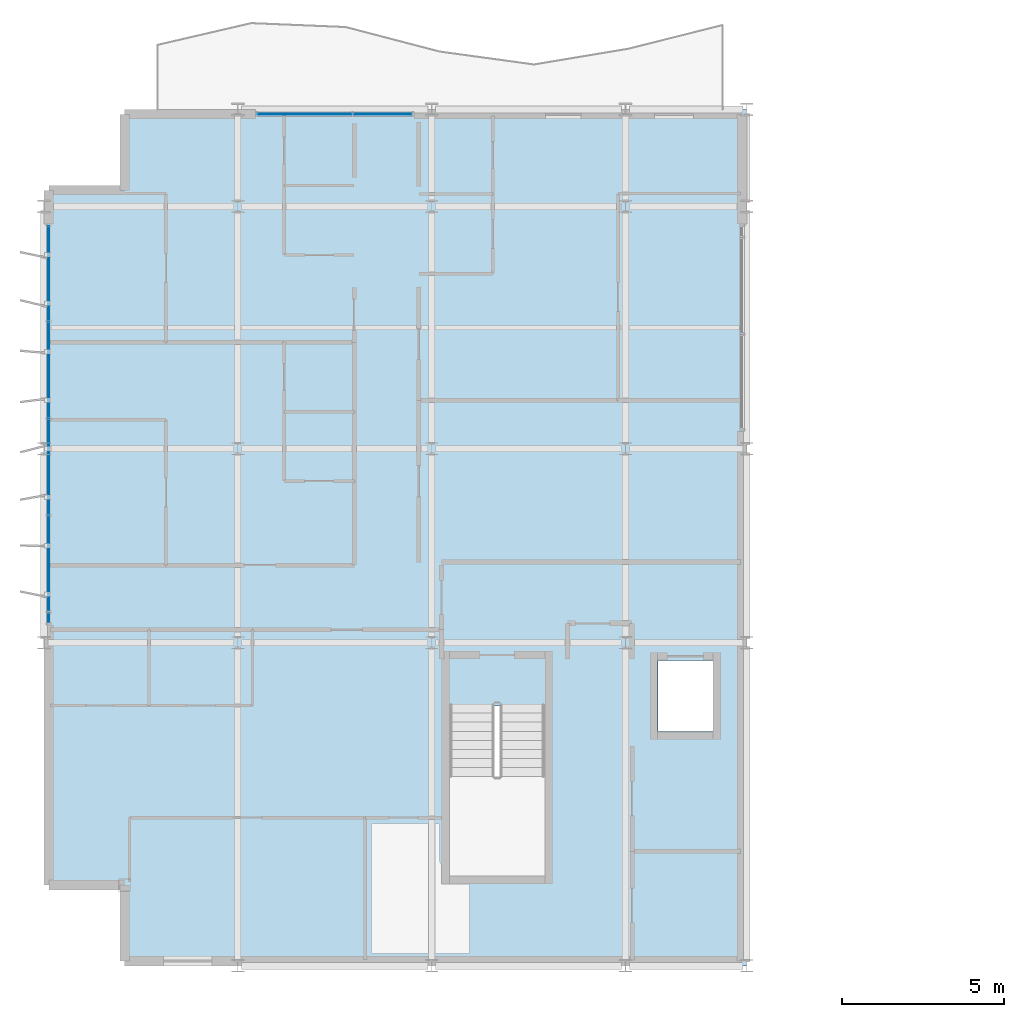
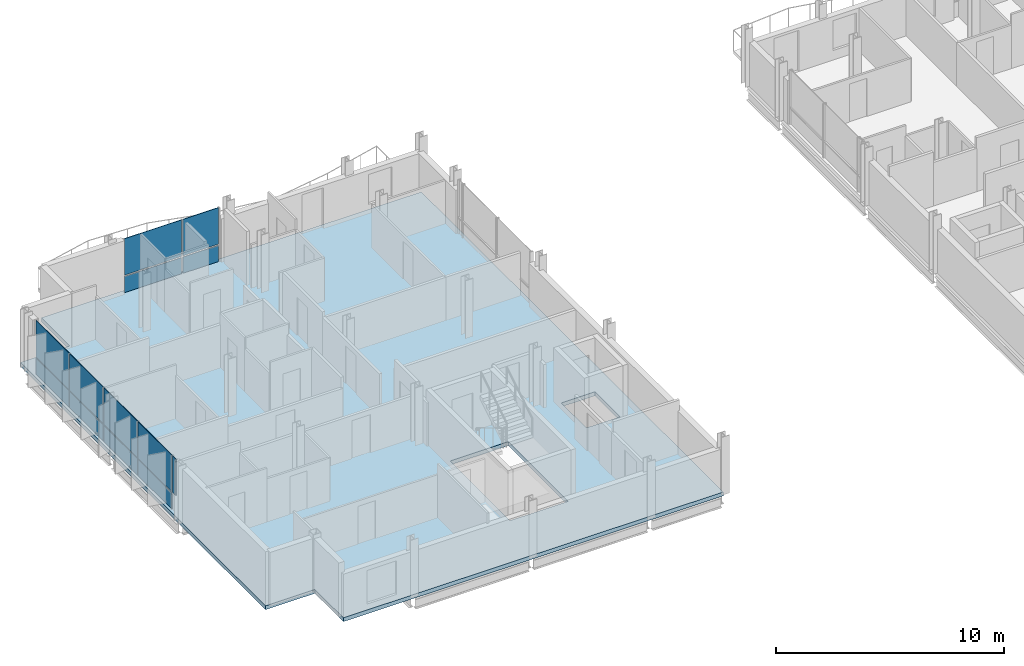
# One storey, part 15 of 29: 13 plates, 1 slab, 2 elements without a shape of their own.
"""IFC4 building model written with IfcOpenShell, lengths in metres."""

import ifcopenshell
import ifcopenshell.guid

model = None  # the IFC model being written
_history = None  # IfcOwnerHistory: only IFC2X3 demands one
_inside = {}  # id of a spatial element -> (the spatial element, [elements in it])
_under = {}  # id of a project, library or spatial element -> (it, [spatial elements below it])
_declared = {}  # id of a project -> (the project, [libraries it declares])
_typed = {}  # id of a type object -> (the type object, [elements of that type])
_made_of = {}  # id of a material, layer set ... -> (it, [elements and type objects made of it])


def new_model(schema):
    """Start an empty IFC model of exactly this schema.

    Asked for "IFC4X3", IfcOpenShell would pick the latest addendum, in which some entities
    have other attributes; the version numbers below select the first issue.
    IFC2X3 requires an IfcOwnerHistory on every rooted entity: one is made here for all.
    """
    global model, _history
    if schema == "IFC4X3":
        model = ifcopenshell.file(schema_version=(4, 3, 0, 0))
    else:
        model = ifcopenshell.file(schema=schema)
    _inside.clear()
    _under.clear()
    _declared.clear()
    _typed.clear()
    _made_of.clear()
    _history = None
    if model.schema == "IFC2X3":
        org = make("IfcOrganization", Name="unknown")
        user = make(
            "IfcPersonAndOrganization",
            ThePerson=make("IfcPerson", FamilyName="unknown"),
            TheOrganization=org,
        )
        app = make(
            "IfcApplication",
            ApplicationDeveloper=org,
            Version="unknown",
            ApplicationFullName="unknown",
            ApplicationIdentifier="unknown",
        )
        _history = make(
            "IfcOwnerHistory",
            OwningUser=user,
            OwningApplication=app,
            ChangeAction="ADDED",
            CreationDate=0,
        )
    return model


def make(cls, **values):
    """One entity of the class cls with the attributes given. An attribute that is None is left unset."""
    return model.create_entity(
        cls, **{name: value for name, value in values.items() if value is not None}
    )


def rooted(cls, **values):
    """An entity with a GlobalId (a new one), such as an element, a storey or a relation."""
    return make(cls, GlobalId=ifcopenshell.guid.new(), OwnerHistory=_history, **values)


def si_unit(unit_type, name, prefix=None):
    """IfcSIUnit, for example si_unit("LENGTHUNIT", "METRE", prefix="MILLI")."""
    return make("IfcSIUnit", UnitType=unit_type, Prefix=prefix, Name=name)


def assignment(units):
    """IfcUnitAssignment: the units of a project."""
    return None if units is None else make("IfcUnitAssignment", Units=units)


def point(xyz):
    """IfcCartesianPoint."""
    return None if xyz is None else make("IfcCartesianPoint", Coordinates=xyz)


def direction(xyz):
    """IfcDirection."""
    return None if xyz is None else make("IfcDirection", DirectionRatios=xyz)


def frame(location, z_axis=None, x_axis=None):
    """IfcAxis2Placement3D, a coordinate frame: its origin and axes. An axis left out is left unset."""
    return make(
        "IfcAxis2Placement3D",
        Location=point(location),
        Axis=direction(z_axis),
        RefDirection=direction(x_axis),
    )


def frame_2d(location, x_axis=None):
    """IfcAxis2Placement2D, a coordinate frame in the plane: its origin and x axis."""
    return make(
        "IfcAxis2Placement2D", Location=point(location), RefDirection=direction(x_axis)
    )


def origin():
    """The frame at (0, 0, 0) with its axes left unset."""
    return frame((0.0, 0.0, 0.0))


def origin_2d():
    """The frame at (0, 0) in the plane with its x axis left unset."""
    return frame_2d((0.0, 0.0))


def place(relative_to, where):
    """IfcLocalPlacement: puts the frame where relative to a parent placement (None: the world)."""
    return make(
        "IfcLocalPlacement", PlacementRelTo=relative_to, RelativePlacement=where
    )


def context(
    kind, dimensions, precision=None, world=None, true_north=None, identifier=None
):
    """IfcGeometricRepresentationContext, for example the 3D "Model" context."""
    return make(
        "IfcGeometricRepresentationContext",
        ContextIdentifier=identifier,
        ContextType=kind,
        CoordinateSpaceDimension=dimensions,
        Precision=precision,
        WorldCoordinateSystem=world,
        TrueNorth=true_north,
    )


def subcontext(parent, identifier, kind, view, scale=None):
    """IfcGeometricRepresentationSubContext, for example "Body" below "Model"."""
    return make(
        "IfcGeometricRepresentationSubContext",
        ContextIdentifier=identifier,
        ContextType=kind,
        ParentContext=parent,
        TargetScale=scale,
        TargetView=view,
    )


def project(units=None, contexts=None):
    """IfcProject with its units and contexts."""
    return rooted(
        "IfcProject",
        Name="project",
        RepresentationContexts=contexts,
        UnitsInContext=assignment(units),
    )


def spatial(cls, under=None, at=None, **own):
    """A site, building, storey or space (cls), placed at a placement, below another one or the project."""
    s = rooted(cls, ObjectPlacement=at, **own)
    if under is not None:
        _under.setdefault(under.id(), (under, []))[1].append(s)
    return s


def polyline(points):
    """IfcPolyline through the points."""
    return make("IfcPolyline", Points=[point(p) for p in points])


def profile(cls, at=None, kind="AREA", **sizes):
    """A parametric profile (cls). Its sizes go by their IFC names, for example OverallWidth=200.0."""
    return make(cls, ProfileType=kind, Position=at, **sizes)


def rectangle(**sizes):
    """IfcRectangleProfileDef."""
    return profile("IfcRectangleProfileDef", **sizes)


def outline(outer, holes=None, kind="AREA"):
    """IfcArbitraryClosedProfileDef: a profile drawn as a closed curve; with holes, ...WithVoids."""
    if holes is None:
        return make("IfcArbitraryClosedProfileDef", ProfileType=kind, OuterCurve=outer)
    return make(
        "IfcArbitraryProfileDefWithVoids",
        ProfileType=kind,
        OuterCurve=outer,
        InnerCurves=holes,
    )


def extrude(swept, where, along, depth):
    """IfcExtrudedAreaSolid: the profile swept, set in the frame where, extruded along a direction by depth."""
    return make(
        "IfcExtrudedAreaSolid",
        SweptArea=swept,
        Position=where,
        ExtrudedDirection=direction(along),
        Depth=depth,
    )


def shape(context_of_items, identifier, shape_type, items):
    """IfcShapeRepresentation: the items that make up one representation, for example the "Body"."""
    return make(
        "IfcShapeRepresentation",
        ContextOfItems=context_of_items,
        RepresentationIdentifier=identifier,
        RepresentationType=shape_type,
        Items=items,
    )


def material(Name=None, Category=None):
    """IfcMaterial."""
    return make("IfcMaterial", Name=Name, Category=Category)


def layer(
    of_material, thickness, ventilated=None, Name=None, Category=None, Priority=None
):
    """IfcMaterialLayer: one layer of a wall or slab, of a material (None: an air gap)."""
    return make(
        "IfcMaterialLayer",
        Material=of_material,
        LayerThickness=thickness,
        IsVentilated=ventilated,
        Name=Name,
        Category=Category,
        Priority=Priority,
    )


def layer_set(layers, Name=None):
    """IfcMaterialLayerSet."""
    return make("IfcMaterialLayerSet", MaterialLayers=layers, LayerSetName=Name)


def made_of(thing, what):
    """Note that an element or type object is made of a material, layer set ...; save() writes the relation."""
    if what is not None:
        _made_of.setdefault(what.id(), (what, []))[1].append(thing)
    return thing


def type_object(cls, material=None, **own):
    """A type object (cls), such as IfcWallType, which elements share."""
    return made_of(rooted(cls, **own), material)


def element(
    cls,
    number,
    at=None,
    inside=None,
    cuts=None,
    type_object=None,
    material=None,
    context=None,
    identifier="Body",
    shape_type=None,
    held_by="IfcProductDefinitionShape",
    body=None,
    shapes=None,
    **own,
):
    """One element of the class cls, such as IfcWall. Its Tag is "e" and its number.

    at: its placement. inside: the storey or other place that contains it. cuts: it is an
    opening in that element (IfcRelVoidsElement). A single representation is given by context,
    identifier, shape_type and body (its items); several are given by shapes. held_by: the class
    of the entity that holds the representations. save() writes the other relations.
    """
    e = rooted(cls, Tag="e%d" % number, ObjectPlacement=at, **own)
    if body is not None:
        shapes = [shape(context, identifier, shape_type, body)]
    if shapes is not None:
        e.Representation = make(held_by, Representations=shapes)
    if inside is not None:
        _inside.setdefault(inside.id(), (inside, []))[1].append(e)
    if cuts is not None:
        rooted(
            "IfcRelVoidsElement", RelatingBuildingElement=cuts, RelatedOpeningElement=e
        )
    if type_object is not None:
        _typed.setdefault(type_object.id(), (type_object, []))[1].append(e)
    return made_of(e, material)


def aggregate(whole, parts):
    """IfcRelAggregates: a whole, such as a stair, and the parts it consists of."""
    return rooted("IfcRelAggregates", RelatingObject=whole, RelatedObjects=parts)


def save(model, path):
    """Write the relations noted so far, then the file.

    IfcRelAggregates (storeys below a building ...), IfcRelContainedInSpatialStructure (elements
    in a storey), IfcRelDefinesByType, IfcRelAssociatesMaterial and IfcRelDeclares: one each for
    every whole, place, type object, material and project.
    """
    for whole, parts in _under.values():
        aggregate(whole, parts)
    for where, things in _inside.values():
        rooted(
            "IfcRelContainedInSpatialStructure",
            RelatedElements=things,
            RelatingStructure=where,
        )
    for kind, things in _typed.values():
        rooted("IfcRelDefinesByType", RelatedObjects=things, RelatingType=kind)
    for what, things in _made_of.values():
        rooted("IfcRelAssociatesMaterial", RelatedObjects=things, RelatingMaterial=what)
    for by, libraries in _declared.values():
        rooted("IfcRelDeclares", RelatingContext=by, RelatedDefinitions=libraries)
    model.write(path)


model = new_model("IFC4")

# Units and contexts
model_context = context("Model", 3, precision=1e-05, world=origin(), true_north=direction((0.0, 1.0)))
body_context = subcontext(model_context, "Body", "Model", "MODEL_VIEW")
ifc_project = project(units=[si_unit("LENGTHUNIT", "METRE"), si_unit("AREAUNIT", "SQUARE_METRE"), si_unit("VOLUMEUNIT", "CUBIC_METRE"), si_unit("PLANEANGLEUNIT", "RADIAN"), si_unit("MASSUNIT", "GRAM", prefix="KILO")], contexts=[model_context])

# Site, building, storey
site_placement = place(None, origin())
site = spatial("IfcSite", under=ifc_project, at=site_placement, CompositionType="ELEMENT")
building_placement = place(site_placement, origin())
building = spatial("IfcBuilding", under=site, at=building_placement, Name="Brevholm Reach", CompositionType="ELEMENT")
storey_placement = place(building_placement, frame((0.0, 0.0, 198.699951171875)))
storey = spatial("IfcBuildingStorey", under=building, at=storey_placement, Name="L60", CompositionType="ELEMENT", Elevation=198.699951171875)

# Curtain wall, plates
ifc_material_1 = material(Name="Dark Anodised Aluminium 6063-T6 and Solar-Control Glass", Category="aluminium")
ifc_layer_1 = layer(ifc_material_1, 0.14990234375)
ifc_layer_set_1 = layer_set([ifc_layer_1], Name="Dark Anodised Aluminium 6063-T6 and Solar-Control Glass")
curtain_wall_type = type_object("IfcCurtainWallType", Name="CW-01", PredefinedType="NOTDEFINED", material=ifc_layer_set_1)
curtain_wall_1_placement = place(storey_placement, origin())
curtain_wall_1 = element("IfcCurtainWall", 1, at=curtain_wall_1_placement, inside=storey, type_object=curtain_wall_type, Name="L60 Curtain Wall CW-01", PredefinedType="NOTDEFINED")
ifc_material_2 = material(Name="Dark Solar-Control Double-Glazed IGU Glass", Category="glass")
ifc_layer_2 = layer(ifc_material_2, 0.028076171875)
ifc_layer_set_2 = layer_set([ifc_layer_2], Name="Dark Solar-Control Double-Glazed IGU Glass")
plate_type = type_object("IfcPlateType", Name="CWP-GLZ-28", PredefinedType="CURTAIN_PANEL", material=ifc_layer_set_2)
plate_1_placement = place(storey_placement, frame((0.14990234375, 21.433837890625, 0.0), z_axis=(0.0, 0.0, 1.0), x_axis=(0.0, -1.0, 0.0)))
plate_1 = element("IfcPlate", 2, at=plate_1_placement, type_object=plate_type, Name="CP-01 Glazing Panel 1.1", PredefinedType="CURTAIN_PANEL", context=body_context, shape_type="SweptSolid", body=[
    extrude(rectangle(XDim=2.902587890625, YDim=0.028076171875, at=origin_2d()), origin(), (0.0, 0.0, 1.0), 0.867431640625),
])
plate_2_placement = place(storey_placement, frame((0.14990234375, 21.433837890625, 0.9326171875), z_axis=(0.0, 0.0, 1.0), x_axis=(0.0, -1.0, 0.0)))
plate_2 = element("IfcPlate", 3, at=plate_2_placement, type_object=plate_type, Name="CP-01 Glazing Panel 1.2", PredefinedType="CURTAIN_PANEL", context=body_context, shape_type="SweptSolid", body=[
    extrude(rectangle(XDim=2.902587890625, YDim=0.028076171875, at=origin_2d()), origin(), (0.0, 0.0, 1.0), 1.95751953125),
])
plate_3_placement = place(storey_placement, frame((0.14990234375, 18.449951171875, 0.0), z_axis=(0.0, 0.0, 1.0), x_axis=(0.0, -1.0, 0.0)))
plate_3 = element("IfcPlate", 4, at=plate_3_placement, type_object=plate_type, Name="CP-01 Glazing Panel 2.1", PredefinedType="CURTAIN_PANEL", context=body_context, shape_type="SweptSolid", body=[
    extrude(rectangle(XDim=2.93505859375, YDim=0.028076171875, at=origin_2d()), origin(), (0.0, 0.0, 1.0), 0.867431640625),
])
plate_4_placement = place(storey_placement, frame((0.14990234375, 18.449951171875, 0.9326171875), z_axis=(0.0, 0.0, 1.0), x_axis=(0.0, -1.0, 0.0)))
plate_4 = element("IfcPlate", 5, at=plate_4_placement, type_object=plate_type, Name="CP-01 Glazing Panel 2.2", PredefinedType="CURTAIN_PANEL", context=body_context, shape_type="SweptSolid", body=[
    extrude(rectangle(XDim=2.93505859375, YDim=0.028076171875, at=origin_2d()), origin(), (0.0, 0.0, 1.0), 1.95751953125),
])
plate_5_placement = place(storey_placement, frame((0.14990234375, 15.449951171875, 0.0), z_axis=(0.0, 0.0, 1.0), x_axis=(0.0, -1.0, 0.0)))
plate_5 = element("IfcPlate", 6, at=plate_5_placement, type_object=plate_type, Name="CP-01 Glazing Panel 3.1", PredefinedType="CURTAIN_PANEL", context=body_context, shape_type="SweptSolid", body=[
    extrude(rectangle(XDim=2.93505859375, YDim=0.028076171875, at=origin_2d()), origin(), (0.0, 0.0, 1.0), 0.867431640625),
])
plate_6_placement = place(storey_placement, frame((0.14990234375, 15.449951171875, 0.9326171875), z_axis=(0.0, 0.0, 1.0), x_axis=(0.0, -1.0, 0.0)))
plate_6 = element("IfcPlate", 7, at=plate_6_placement, type_object=plate_type, Name="CP-01 Glazing Panel 3.2", PredefinedType="CURTAIN_PANEL", context=body_context, shape_type="SweptSolid", body=[
    extrude(rectangle(XDim=2.93505859375, YDim=0.028076171875, at=origin_2d()), origin(), (0.0, 0.0, 1.0), 1.95751953125),
])
plate_7_placement = place(storey_placement, frame((0.14990234375, 12.449951171875, 0.0), z_axis=(0.0, 0.0, 1.0), x_axis=(0.0, -1.0, 0.0)))
plate_7 = element("IfcPlate", 8, at=plate_7_placement, type_object=plate_type, Name="CP-01 Glazing Panel 4.1", PredefinedType="CURTAIN_PANEL", context=body_context, shape_type="SweptSolid", body=[
    extrude(rectangle(XDim=2.93505859375, YDim=0.028076171875, at=origin_2d()), origin(), (0.0, 0.0, 1.0), 0.867431640625),
])
plate_8_placement = place(storey_placement, frame((0.14990234375, 12.449951171875, 0.9326171875), z_axis=(0.0, 0.0, 1.0), x_axis=(0.0, -1.0, 0.0)))
plate_8 = element("IfcPlate", 9, at=plate_8_placement, type_object=plate_type, Name="CP-01 Glazing Panel 4.2", PredefinedType="CURTAIN_PANEL", context=body_context, shape_type="SweptSolid", body=[
    extrude(rectangle(XDim=2.93505859375, YDim=0.028076171875, at=origin_2d()), origin(), (0.0, 0.0, 1.0), 1.95751953125),
])
plate_9_placement = place(storey_placement, frame((0.14990234375, 10.766357421875, 0.9326171875), z_axis=(0.0, 0.0, 1.0), x_axis=(0.0, -1.0, 0.0)))
plate_9 = element("IfcPlate", 10, at=plate_9_placement, type_object=plate_type, Name="CP-01 Glazing Panel 5.2", PredefinedType="CURTAIN_PANEL", context=body_context, shape_type="SweptSolid", body=[
    extrude(rectangle(XDim=0.302490234375, YDim=0.028076171875, at=origin_2d()), origin(), (0.0, 0.0, 1.0), 1.95751953125),
])
aggregate(curtain_wall_1, [plate_1, plate_2, plate_3, plate_4, plate_5, plate_6, plate_7, plate_8, plate_9])

curtain_wall_2_placement = place(storey_placement, origin())
curtain_wall_2 = element("IfcCurtainWall", 11, at=curtain_wall_2_placement, inside=storey, type_object=curtain_wall_type, Name="L60 Curtain Wall CW-01", PredefinedType="NOTDEFINED")
plate_10_placement = place(storey_placement, frame((8.066162109375, 26.35009765625, 0.0), z_axis=(0.0, 0.0, 1.0), x_axis=(1.0, 0.0, 0.0)))
plate_10 = element("IfcPlate", 12, at=plate_10_placement, type_object=plate_type, Name="CP-01 Glazing Panel 1.1", PredefinedType="CURTAIN_PANEL", context=body_context, shape_type="SweptSolid", body=[
    extrude(rectangle(XDim=2.902587890625, YDim=0.028076171875, at=origin_2d()), origin(), (0.0, 0.0, 1.0), 0.867431640625),
])
plate_11_placement = place(storey_placement, frame((8.066162109375, 26.35009765625, 0.9326171875), z_axis=(0.0, 0.0, 1.0), x_axis=(1.0, 0.0, 0.0)))
plate_11 = element("IfcPlate", 13, at=plate_11_placement, type_object=plate_type, Name="CP-01 Glazing Panel 1.2", PredefinedType="CURTAIN_PANEL", context=body_context, shape_type="SweptSolid", body=[
    extrude(rectangle(XDim=2.902587890625, YDim=0.028076171875, at=origin_2d()), origin(), (0.0, 0.0, 1.0), 1.95751953125),
])
plate_12_placement = place(storey_placement, frame((10.483642578125, 26.35009765625, 0.0), z_axis=(0.0, 0.0, 1.0), x_axis=(1.0, 0.0, 0.0)))
plate_12 = element("IfcPlate", 14, at=plate_12_placement, type_object=plate_type, Name="CP-01 Glazing Panel 2.1", PredefinedType="CURTAIN_PANEL", context=body_context, shape_type="SweptSolid", body=[
    extrude(rectangle(XDim=1.802490234375, YDim=0.028076171875, at=origin_2d()), origin(), (0.0, 0.0, 1.0), 0.867431640625),
])
plate_13_placement = place(storey_placement, frame((10.483642578125, 26.35009765625, 0.9326171875), z_axis=(0.0, 0.0, 1.0), x_axis=(1.0, 0.0, 0.0)))
plate_13 = element("IfcPlate", 15, at=plate_13_placement, type_object=plate_type, Name="CP-01 Glazing Panel 2.2", PredefinedType="CURTAIN_PANEL", context=body_context, shape_type="SweptSolid", body=[
    extrude(rectangle(XDim=1.802490234375, YDim=0.028076171875, at=origin_2d()), origin(), (0.0, 0.0, 1.0), 1.95751953125),
])
aggregate(curtain_wall_2, [plate_10, plate_11, plate_12, plate_13])

# Slab
ifc_material_3 = material(Name="Concrete C40/50", Category="concrete")
ifc_layer_3 = layer(ifc_material_3, 0.2099609375)
ifc_layer_set_3 = layer_set([ifc_layer_3], Name="Concrete C40/50")
slab_type = type_object("IfcSlabType", Name="SLB-FL-210", PredefinedType="FLOOR", material=ifc_layer_set_3)
slab_placement = place(storey_placement, frame((0.0, 0.0, -0.2099609375)))
element("IfcSlab", 16, at=slab_placement, inside=storey, type_object=slab_type, Name="L60 Suspended Floor Slab (west-wing)", PredefinedType="FLOOR", context=body_context, shape_type="SweptSolid", body=[
    extrude(outline(polyline([(2.5, 0.0), (21.75, 0.0), (21.75, 26.5), (2.5, 26.5), (2.5, 24.0), (0.0, 24.0), (0.0, 2.5), (2.5, 2.5), (2.5, 0.0)]), holes=[polyline([(12.550048828125, 2.780029296875), (15.5, 2.780029296875), (15.5, 8.044921875), (12.550048828125, 8.044921875), (12.550048828125, 2.780029296875)]), polyline([(19.0, 7.25), (20.699951171875, 7.25), (20.699951171875, 9.449951171875), (19.0, 9.449951171875), (19.0, 7.25)])]), origin(), (0.0, 0.0, 1.0), 0.2099609375),
])

save(model, "model.ifc")
